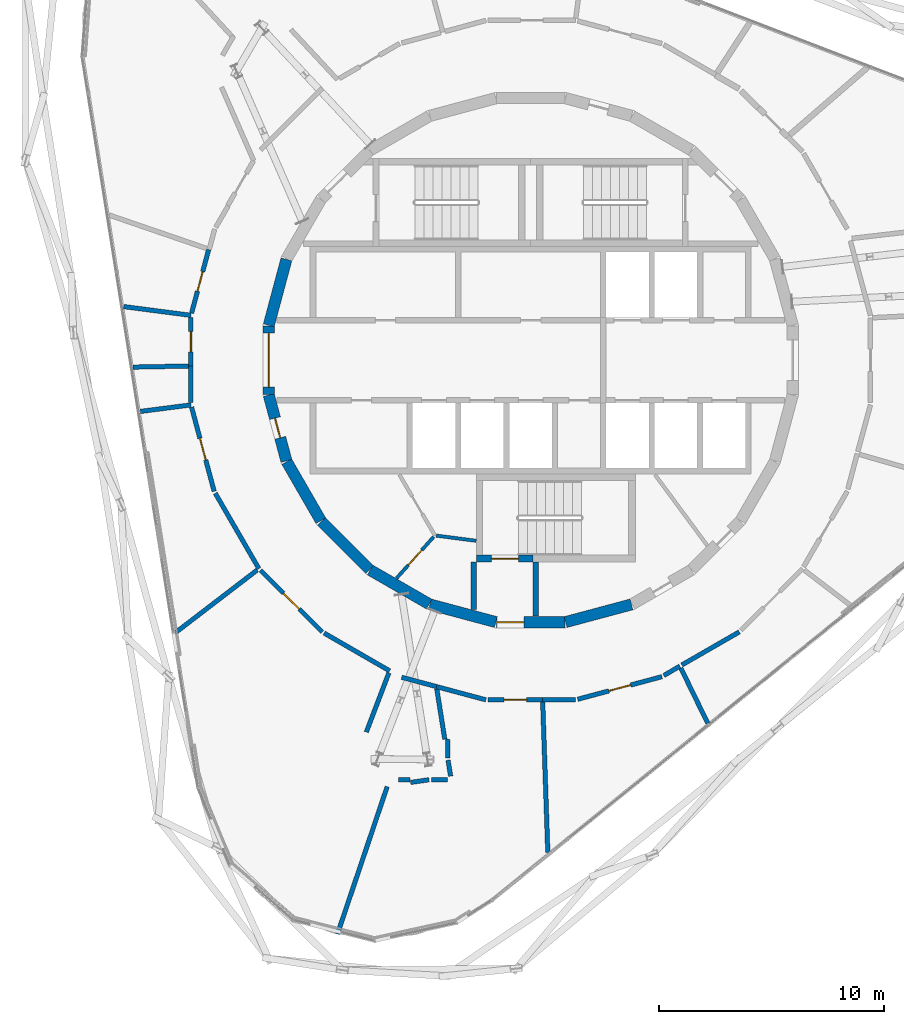
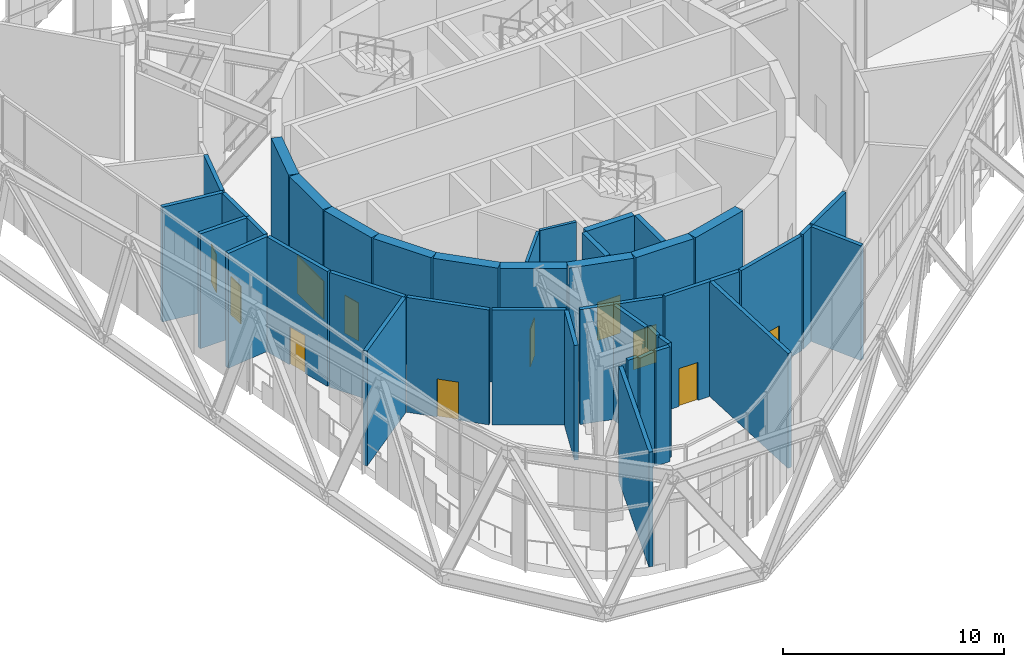
# One storey, part 19 of 25: 42 walls, 11 doors, 11 openings.
"""IFC4 building model written with IfcOpenShell, lengths in metres."""

from ifc_helpers import new_model, si_unit, direction, frame, frame_2d, origin, place, context, subcontext, project, spatial, rectangle, extrude, material, layer, layer_set, type_object, element, fill, save


model = new_model("IFC4")

# Units and contexts
model_context = context("Model", 3, precision=1e-05, world=origin(), true_north=direction((0.0, 1.0)))
body_context = subcontext(model_context, "Body", "Model", "MODEL_VIEW")
ifc_project = project(units=[si_unit("LENGTHUNIT", "METRE"), si_unit("AREAUNIT", "SQUARE_METRE"), si_unit("VOLUMEUNIT", "CUBIC_METRE"), si_unit("PLANEANGLEUNIT", "RADIAN"), si_unit("MASSUNIT", "GRAM", prefix="KILO")], contexts=[model_context])

# Site, building, storey
site_placement = place(None, origin())
site = spatial("IfcSite", under=ifc_project, at=site_placement, CompositionType="ELEMENT")
building_placement = place(site_placement, origin())
building = spatial("IfcBuilding", under=site, at=building_placement, Name="Spindle Arch Residences", CompositionType="ELEMENT")
storey_placement = place(building_placement, frame((0.0, 0.0, 291.39990234375)))
storey = spatial("IfcBuildingStorey", under=building, at=storey_placement, Name="L75", CompositionType="ELEMENT", Elevation=291.39990234375)

# Walls
ifc_material_1 = material(Name="Concrete C50/60", Category="concrete")
ifc_layer_1 = layer(ifc_material_1, 0.5)
ifc_layer_set_1 = layer_set([ifc_layer_1], Name="Core outline wall 500")
wall_type_1 = type_object("IfcWallType", Name="Core outline wall 500", PredefinedType="SHEAR", material=ifc_layer_set_1)
for number, where, z_axis, x_axis, name in (
    (1, (1.5498046875, -11.642822265625, 0.0), (0.0, 0.0, 1.0), (0.965948410781, 0.258734743916, 0.0), "Core outline wall 1"),
    (2, (-10.858154296875, 4.479248046875, 0.0), (0.0, 0.0, 1.0), (-0.258734743916, -0.965948410781, 0.0), "Core outline wall 17"),
):
    element("IfcWall", number, at=place(storey_placement, frame(where, z_axis=z_axis, x_axis=x_axis)), inside=storey, type_object=wall_type_1, Name=name, PredefinedType="SHEAR", context=body_context, shape_type="SweptSolid", body=[
        extrude(rectangle(XDim=3.03271484375, YDim=0.5, at=frame_2d((1.516357421875, 0.0))), origin(), (0.0, 0.0, 1.0), 6.35009765625),
    ])

# Wall, opening, door
wall_1_placement = place(storey_placement, frame((-11.647216796875, 1.516357421875, 0.0), z_axis=(0.0, 0.0, 1.0), x_axis=(0.0, -1.0, 0.0)))
wall_1 = element("IfcWall", 3, at=wall_1_placement, inside=storey, type_object=wall_type_1, Name="Core outline wall 18", PredefinedType="SHEAR", context=body_context, shape_type="SweptSolid", body=[
    extrude(rectangle(XDim=3.03271484375, YDim=0.5, at=frame_2d((1.516357421875, 0.0))), origin(), (0.0, 0.0, 1.0), 6.35009765625),
])
opening_1_placement = place(wall_1_placement, frame((0.31640625, 0.0, 0.0)))
opening_1 = element("IfcOpeningElement", 4, at=opening_1_placement, cuts=wall_1, Name="Opening L75-LE01", PredefinedType="OPENING", context=body_context, shape_type="SweptSolid", body=[
    extrude(rectangle(XDim=2.39990234375, YDim=2.10009765625, at=frame_2d((1.199951171875, 1.050048828125))), frame((0.0, 0.260009765625, 0.0), z_axis=(0.0, -1.0, 0.0), x_axis=(1.0, 0.0, 0.0)), (0.0, 0.0, 1.0), 0.52001953125),
])
ifc_material_2 = material(Name="Steel, fire-resisting door", Category="steel")
door_type_1 = type_object("IfcDoorType", Name="Lift lobby entrance door 2400x2100", OperationType="DOUBLE_DOOR_SINGLE_SWING", PredefinedType="DOOR", material=ifc_material_2)
door_1_placement = place(opening_1_placement, origin())
door_1 = element("IfcDoor", 5, at=door_1_placement, inside=storey, type_object=door_type_1, Name="Lift lobby entrance door L75-LE01", OperationType="DOUBLE_DOOR_SINGLE_SWING", OverallHeight=2.10009765625, OverallWidth=2.39990234375, PredefinedType="DOOR", context=body_context, shape_type="SweptSolid", body=[
    extrude(rectangle(XDim=2.39990234375, YDim=2.10009765625, at=frame_2d((1.199951171875, 1.050048828125))), frame((0.0, 0.02490234375, 0.0), z_axis=(0.0, -1.0, 0.0), x_axis=(1.0, 0.0, 0.0)), (0.0, 0.0, 1.0), 0.050048828125),
])
fill(opening_1, door_1)

wall_2_placement = place(storey_placement, frame((-11.642822265625, -1.5498046875, 0.0), z_axis=(0.0, 0.0, 1.0), x_axis=(0.258734743916, -0.965948410781, 0.0)))
wall_2 = element("IfcWall", 6, at=wall_2_placement, inside=storey, type_object=wall_type_1, Name="Core outline wall 19", PredefinedType="SHEAR", context=body_context, shape_type="SweptSolid", body=[
    extrude(rectangle(XDim=3.03271484375, YDim=0.5, at=frame_2d((1.516357421875, 0.0))), origin(), (0.0, 0.0, 1.0), 6.35009765625),
])
opening_2_placement = place(wall_2_placement, frame((1.06640625, 0.0, 0.0)))
opening_2 = element("IfcOpeningElement", 7, at=opening_2_placement, cuts=wall_2, Name="Opening L75-WD10", PredefinedType="OPENING", context=body_context, shape_type="SweptSolid", body=[
    extrude(rectangle(XDim=0.89990234375, YDim=2.10009765625, at=frame_2d((0.449951171875, 1.050048828125))), frame((0.0, 0.260009765625, 0.0), z_axis=(0.0, -1.0, 0.0), x_axis=(1.0, 0.0, 0.0)), (0.0, 0.0, 1.0), 0.52001953125),
])
ifc_material_3 = material(Name="Steel, fire-resisting door", Category="steel")
door_type_2 = type_object("IfcDoorType", Name="Service room door 900x2100", OperationType="SINGLE_SWING_LEFT", PredefinedType="DOOR", material=ifc_material_3)
door_2_placement = place(opening_2_placement, origin())
door_2 = element("IfcDoor", 8, at=door_2_placement, inside=storey, type_object=door_type_2, Name="Service room door L75-WD10", OperationType="SINGLE_SWING_RIGHT", OverallHeight=2.10009765625, OverallWidth=0.89990234375, PredefinedType="DOOR", context=body_context, shape_type="SweptSolid", body=[
    extrude(rectangle(XDim=0.89990234375, YDim=2.10009765625, at=frame_2d((0.449951171875, 1.050048828125))), frame((0.0, 0.02490234375, 0.0), z_axis=(0.0, -1.0, 0.0), x_axis=(1.0, 0.0, 0.0)), (0.0, 0.0, 1.0), 0.050048828125),
])
fill(opening_2, door_2)

# Walls
wall_3_placement = place(storey_placement, frame((-10.84521484375, -4.510498046875, 0.0), z_axis=(0.0, 0.0, 1.0), x_axis=(0.500087131594, -0.865975092491, 0.0)))
element("IfcWall", 9, at=wall_3_placement, inside=storey, type_object=wall_type_1, Name="Core outline wall 20", PredefinedType="SHEAR", context=body_context, shape_type="SweptSolid", body=[
    extrude(rectangle(XDim=3.03271484375, YDim=0.5, at=frame_2d((1.516357421875, 0.0))), origin(), (0.0, 0.0, 1.0), 6.35009765625),
])
wall_4_placement = place(storey_placement, frame((-9.30810546875, -7.163818359375, 0.0), z_axis=(0.0, 0.0, 1.0), x_axis=(0.707106781187, -0.707106781187, 0.0)))
element("IfcWall", 10, at=wall_4_placement, inside=storey, type_object=wall_type_1, Name="Core outline wall 21", PredefinedType="SHEAR", context=body_context, shape_type="SweptSolid", body=[
    extrude(rectangle(XDim=3.032470703125, YDim=0.5, at=frame_2d((1.51611328125, 0.0))), origin(), (0.0, 0.0, 1.0), 6.35009765625),
])
for number, where, z_axis, x_axis, name in (
    (11, (-7.13671875, -9.32861328125, 0.0), (0.0, 0.0, 1.0), (0.865975092491, -0.500087131594, 0.0), "Core outline wall 22"),
    (12, (-4.479248046875, -10.858154296875, 0.0), (0.0, 0.0, 1.0), (0.965948410781, -0.258734743916, 0.0), "Core outline wall 23"),
):
    element("IfcWall", number, at=place(storey_placement, frame(where, z_axis=z_axis, x_axis=x_axis)), inside=storey, type_object=wall_type_1, Name=name, PredefinedType="SHEAR", context=body_context, shape_type="SweptSolid", body=[
        extrude(rectangle(XDim=3.03271484375, YDim=0.5, at=frame_2d((1.516357421875, 0.0))), origin(), (0.0, 0.0, 1.0), 6.35009765625),
    ])

# Wall, opening, door
wall_5_placement = place(storey_placement, frame((-1.516357421875, -11.647216796875, 0.0), z_axis=(0.0, 0.0, 1.0), x_axis=(1.0, 0.0, 0.0)))
wall_5 = element("IfcWall", 13, at=wall_5_placement, inside=storey, type_object=wall_type_1, Name="Core outline wall 24", PredefinedType="SHEAR", context=body_context, shape_type="SweptSolid", body=[
    extrude(rectangle(XDim=3.03271484375, YDim=0.5, at=frame_2d((1.516357421875, 0.0))), origin(), (0.0, 0.0, 1.0), 6.35009765625),
])
opening_3_placement = place(wall_5_placement, frame((0.016357421875, 0.0, 0.0)))
opening_3 = element("IfcOpeningElement", 14, at=opening_3_placement, cuts=wall_5, Name="Opening L75-AD03", PredefinedType="OPENING", context=body_context, shape_type="SweptSolid", body=[
    extrude(rectangle(XDim=1.199951171875, YDim=2.10009765625, at=frame_2d((0.60009765625, 1.050048828125))), frame((0.0, 0.260009765625, 0.0), z_axis=(0.0, -1.0, 0.0), x_axis=(1.0, 0.0, 0.0)), (0.0, 0.0, 1.0), 0.52001953125),
])
ifc_material_4 = material(Name="Steel, fire-resisting door", Category="steel")
door_type_3 = type_object("IfcDoorType", Name="Stair airlock door 1200x2100", OperationType="SINGLE_SWING_LEFT", PredefinedType="DOOR", material=ifc_material_4)
door_3_placement = place(opening_3_placement, origin())
door_3 = element("IfcDoor", 15, at=door_3_placement, inside=storey, type_object=door_type_3, Name="Stair airlock door L75-AD03", OperationType="SINGLE_SWING_RIGHT", OverallHeight=2.10009765625, OverallWidth=1.199951171875, PredefinedType="DOOR", context=body_context, shape_type="SweptSolid", body=[
    extrude(rectangle(XDim=1.199951171875, YDim=2.10009765625, at=frame_2d((0.60009765625, 1.050048828125))), frame((0.0, 0.02490234375, 0.0), z_axis=(0.0, -1.0, 0.0), x_axis=(1.0, 0.0, 0.0)), (0.0, 0.0, 1.0), 0.050048828125),
])
fill(opening_3, door_3)

# Wall
ifc_material_5 = material(Name="Gypsum board partition on steel studs", Category="steel")
ifc_layer_2 = layer(ifc_material_5, 0.199951171875)
ifc_layer_set_2 = layer_set([ifc_layer_2], Name="Partition EI 60 200 amenity")
wall_type_2 = type_object("IfcWallType", Name="Partition EI 60 200 amenity", PredefinedType="PARTITIONING", material=ifc_layer_set_2)
wall_6_placement = place(storey_placement, frame((-17.35009765625, -2.280029296875, 0.0), z_axis=(0.0, 0.0, 1.0), x_axis=(0.991793720609, 0.127848409297, 0.0)))
element("IfcWall", 16, at=wall_6_placement, inside=storey, type_object=wall_type_2, Name="L75-W002", PredefinedType="PARTITIONING", context=body_context, shape_type="SweptSolid", body=[
    extrude(rectangle(XDim=2.2685546875, YDim=0.199951171875, at=frame_2d((1.13427734375, 0.0))), origin(), (0.0, 0.0, 1.0), 6.35009765625),
])

# Wall, opening, door
wall_7_placement = place(storey_placement, frame((-15.073974609375, -2.086669921875, 0.0), z_axis=(0.0, 0.0, 1.0), x_axis=(0.259026804199, -0.965870133458, 0.0)))
wall_7 = element("IfcWall", 17, at=wall_7_placement, inside=storey, type_object=wall_type_2, Name="L75-W003", PredefinedType="PARTITIONING", context=body_context, shape_type="SweptSolid", body=[
    extrude(rectangle(XDim=3.875732421875, YDim=0.199951171875, at=frame_2d((1.93798828125, 0.0))), origin(), (0.0, 0.0, 1.0), 6.35009765625),
])
opening_4_placement = place(wall_7_placement, frame((1.43798828125, 0.0, 0.0)))
opening_4 = element("IfcOpeningElement", 18, at=opening_4_placement, cuts=wall_7, Name="Opening L75-D06", PredefinedType="OPENING", context=body_context, shape_type="SweptSolid", body=[
    extrude(rectangle(XDim=1.0, YDim=2.10009765625, at=frame_2d((0.5, 1.050048828125))), frame((0.0, 0.10986328125, 0.0), z_axis=(0.0, -1.0, 0.0), x_axis=(1.0, 0.0, 0.0)), (0.0, 0.0, 1.0), 0.219970703125),
])
ifc_material_6 = material(Name="Timber door leaf", Category="wood")
door_type_4 = type_object("IfcDoorType", Name="Door 1000x2100 EI 30", OperationType="SINGLE_SWING_LEFT", PredefinedType="DOOR", material=ifc_material_6)
door_4_placement = place(opening_4_placement, origin())
door_4 = element("IfcDoor", 19, at=door_4_placement, inside=storey, type_object=door_type_4, Name="L75-D06", OperationType="SINGLE_SWING_LEFT", OverallHeight=2.10009765625, OverallWidth=1.0, PredefinedType="DOOR", context=body_context, shape_type="SweptSolid", body=[
    extrude(rectangle(XDim=1.0, YDim=2.10009765625, at=frame_2d((0.5, 1.050048828125))), frame((0.0, 0.02490234375, 0.0), z_axis=(0.0, -1.0, 0.0), x_axis=(1.0, 0.0, 0.0)), (0.0, 0.0, 1.0), 0.050048828125),
])
fill(opening_4, door_4)

# Walls
wall_8_placement = place(storey_placement, frame((-15.199951171875, -0.261962890625, 0.0), z_axis=(0.0, 0.0, 1.0), x_axis=(-0.999810471085, -0.019468485006, 0.0)))
element("IfcWall", 20, at=wall_8_placement, inside=storey, type_object=wall_type_2, Name="L75-W004", PredefinedType="PARTITIONING", context=body_context, shape_type="SweptSolid", body=[
    extrude(rectangle(XDim=2.470458984375, YDim=0.199951171875, at=frame_2d((1.2353515625, 0.0))), origin(), (0.0, 0.0, 1.0), 6.35009765625),
])
wall_9_placement = place(storey_placement, frame((-15.10009765625, -0.260009765625, 0.0), z_axis=(0.0, 0.0, 1.0), x_axis=(0.0, -1.0, 0.0)))
element("IfcWall", 21, at=wall_9_placement, inside=storey, type_object=wall_type_2, Name="L75-W005", PredefinedType="PARTITIONING", context=body_context, shape_type="SweptSolid", body=[
    extrude(rectangle(XDim=1.6298828125, YDim=0.199951171875, at=frame_2d((0.81494140625, 0.0))), origin(), (0.0, 0.0, 1.0), 6.35009765625),
])
wall_10_placement = place(storey_placement, frame((-15.10009765625, 1.989990234375, 0.0), z_axis=(0.0, 0.0, 1.0), x_axis=(-0.99160492548, 0.129304569772, 0.0)))
element("IfcWall", 22, at=wall_10_placement, inside=storey, type_object=wall_type_2, Name="L75-W006", PredefinedType="PARTITIONING", context=body_context, shape_type="SweptSolid", body=[
    extrude(rectangle(XDim=3.015380859375, YDim=0.199951171875, at=frame_2d((1.5078125, 0.0))), origin(), (0.0, 0.0, 1.0), 6.35009765625),
])

# Wall, opening, door
wall_11_placement = place(storey_placement, frame((-15.10009765625, 1.889892578125, 0.0), z_axis=(0.0, 0.0, 1.0), x_axis=(0.0, -1.0, 0.0)))
wall_11 = element("IfcWall", 23, at=wall_11_placement, inside=storey, type_object=wall_type_2, Name="L75-W007", PredefinedType="PARTITIONING", context=body_context, shape_type="SweptSolid", body=[
    extrude(rectangle(XDim=2.14990234375, YDim=0.199951171875, at=frame_2d((1.074951171875, 0.0))), origin(), (0.0, 0.0, 1.0), 6.35009765625),
])
opening_5_placement = place(wall_11_placement, frame((0.625, 0.0, 0.0)))
opening_5 = element("IfcOpeningElement", 24, at=opening_5_placement, cuts=wall_11, Name="Opening L75-D08", PredefinedType="OPENING", context=body_context, shape_type="SweptSolid", body=[
    extrude(rectangle(XDim=0.89990234375, YDim=2.10009765625, at=frame_2d((0.449951171875, 1.050048828125))), frame((0.0, 0.10986328125, 0.0), z_axis=(0.0, -1.0, 0.0), x_axis=(1.0, 0.0, 0.0)), (0.0, 0.0, 1.0), 0.219970703125),
])
ifc_material_7 = material(Name="Timber door leaf", Category="wood")
door_type_5 = type_object("IfcDoorType", Name="Door 900x2100 EI 30", OperationType="SINGLE_SWING_LEFT", PredefinedType="DOOR", material=ifc_material_7)
door_5_placement = place(opening_5_placement, origin())
door_5 = element("IfcDoor", 25, at=door_5_placement, inside=storey, type_object=door_type_5, Name="L75-D08", OperationType="SINGLE_SWING_LEFT", OverallHeight=2.10009765625, OverallWidth=0.89990234375, PredefinedType="DOOR", context=body_context, shape_type="SweptSolid", body=[
    extrude(rectangle(XDim=0.89990234375, YDim=2.10009765625, at=frame_2d((0.449951171875, 1.050048828125))), frame((0.0, 0.02490234375, 0.0), z_axis=(0.0, -1.0, 0.0), x_axis=(1.0, 0.0, 0.0)), (0.0, 0.0, 1.0), 0.050048828125),
])
fill(opening_5, door_5)

wall_12_placement = place(storey_placement, frame((-14.3154296875, 4.909912109375, 0.0), z_axis=(0.0, 0.0, 1.0), x_axis=(-0.25947627481, -0.965749482428, 0.0)))
wall_12 = element("IfcWall", 26, at=wall_12_placement, inside=storey, type_object=wall_type_2, Name="L75-W008", PredefinedType="PARTITIONING", context=body_context, shape_type="SweptSolid", body=[
    extrude(rectangle(XDim=2.92333984375, YDim=0.199951171875, at=frame_2d((1.461669921875, 0.0))), origin(), (0.0, 0.0, 1.0), 6.35009765625),
])
opening_6_placement = place(wall_12_placement, frame((1.01171875, 0.0, 0.0)))
opening_6 = element("IfcOpeningElement", 27, at=opening_6_placement, cuts=wall_12, Name="Opening L75-D09", PredefinedType="OPENING", context=body_context, shape_type="SweptSolid", body=[
    extrude(rectangle(XDim=0.89990234375, YDim=2.10009765625, at=frame_2d((0.449951171875, 1.050048828125))), frame((0.0, 0.10986328125, 0.0), z_axis=(0.0, -1.0, 0.0), x_axis=(1.0, 0.0, 0.0)), (0.0, 0.0, 1.0), 0.219970703125),
])
door_6_placement = place(opening_6_placement, origin())
door_6 = element("IfcDoor", 28, at=door_6_placement, inside=storey, type_object=door_type_5, Name="L75-D09", OperationType="SINGLE_SWING_LEFT", OverallHeight=2.10009765625, OverallWidth=0.89990234375, PredefinedType="DOOR", context=body_context, shape_type="SweptSolid", body=[
    extrude(rectangle(XDim=0.89990234375, YDim=2.10009765625, at=frame_2d((0.449951171875, 1.050048828125))), frame((0.0, 0.02490234375, 0.0), z_axis=(0.0, -1.0, 0.0), x_axis=(1.0, 0.0, 0.0)), (0.0, 0.0, 1.0), 0.050048828125),
])
fill(opening_6, door_6)

# Walls
wall_13_placement = place(storey_placement, frame((-14.02001953125, -5.91650390625, 0.0), z_axis=(0.0, 0.0, 1.0), x_axis=(0.500733182901, -0.865601686425, 0.0)))
element("IfcWall", 29, at=wall_13_placement, inside=storey, type_object=wall_type_2, Name="L75-W009", PredefinedType="PARTITIONING", context=body_context, shape_type="SweptSolid", body=[
    extrude(rectangle(XDim=3.874267578125, YDim=0.199951171875, at=frame_2d((1.93701171875, 0.0))), origin(), (0.0, 0.0, 1.0), 6.35009765625),
])
wall_14_placement = place(storey_placement, frame((-12.159423828125, -9.330810546875, 0.0), z_axis=(0.0, 0.0, 1.0), x_axis=(-0.793799954034, -0.608178948152, 0.0)))
element("IfcWall", 30, at=wall_14_placement, inside=storey, type_object=wall_type_2, Name="L75-W016", PredefinedType="PARTITIONING", context=body_context, shape_type="SweptSolid", body=[
    extrude(rectangle(XDim=4.58642578125, YDim=0.199951171875, at=frame_2d((2.293212890625, 0.0))), origin(), (0.0, 0.0, 1.0), 6.35009765625),
])

# Wall, opening, door
wall_15_placement = place(storey_placement, frame((-12.00927734375, -9.3408203125, 0.0), z_axis=(0.0, 0.0, 1.0), x_axis=(0.707106781187, -0.707106781187, 0.0)))
wall_15 = element("IfcWall", 31, at=wall_15_placement, inside=storey, type_object=wall_type_2, Name="L75-W017", PredefinedType="PARTITIONING", context=body_context, shape_type="SweptSolid", body=[
    extrude(rectangle(XDim=3.873779296875, YDim=0.199951171875, at=frame_2d((1.93701171875, 0.0))), origin(), (0.0, 0.0, 1.0), 6.35009765625),
])
opening_7_placement = place(wall_15_placement, frame((1.43701171875, 0.0, 0.0)))
opening_7 = element("IfcOpeningElement", 32, at=opening_7_placement, cuts=wall_15, Name="Opening L75-D02", PredefinedType="OPENING", context=body_context, shape_type="SweptSolid", body=[
    extrude(rectangle(XDim=1.0, YDim=2.10009765625, at=frame_2d((0.5, 1.050048828125))), frame((0.0, 0.10986328125, 0.0), z_axis=(0.0, -1.0, 0.0), x_axis=(1.0, 0.0, 0.0)), (0.0, 0.0, 1.0), 0.219970703125),
])
door_7_placement = place(opening_7_placement, origin())
door_7 = element("IfcDoor", 33, at=door_7_placement, inside=storey, type_object=door_type_4, Name="L75-D02", OperationType="SINGLE_SWING_LEFT", OverallHeight=2.10009765625, OverallWidth=1.0, PredefinedType="DOOR", context=body_context, shape_type="SweptSolid", body=[
    extrude(rectangle(XDim=1.0, YDim=2.10009765625, at=frame_2d((0.5, 1.050048828125))), frame((0.0, 0.02490234375, 0.0), z_axis=(0.0, -1.0, 0.0), x_axis=(1.0, 0.0, 0.0)), (0.0, 0.0, 1.0), 0.050048828125),
])
fill(opening_7, door_7)

# Walls
wall_16_placement = place(storey_placement, frame((-9.183349609375, -12.1298828125, 0.0), z_axis=(0.0, 0.0, 1.0), x_axis=(0.866261714877, -0.499590473626, 0.0)))
element("IfcWall", 34, at=wall_16_placement, inside=storey, type_object=wall_type_2, Name="L75-W019", PredefinedType="PARTITIONING", context=body_context, shape_type="SweptSolid", body=[
    extrude(rectangle(XDim=3.363037109375, YDim=0.199951171875, at=frame_2d((1.681640625, 0.0))), origin(), (0.0, 0.0, 1.0), 6.35009765625),
])
wall_17_placement = place(storey_placement, frame((-6.379638671875, -18.9580078125, 0.0), z_axis=(0.0, 0.0, 1.0), x_axis=(-0.319668100728, -0.947529580212, 0.0)))
element("IfcWall", 35, at=wall_17_placement, inside=storey, type_object=wall_type_2, Name="L75-W021", PredefinedType="PARTITIONING", context=body_context, shape_type="SweptSolid", body=[
    extrude(rectangle(XDim=6.914794921875, YDim=0.199951171875, at=frame_2d((3.45751953125, 0.0))), origin(), (0.0, 0.0, 1.0), 6.35009765625),
])
wall_18_placement = place(storey_placement, frame((-6.3056640625, -13.903564453125, 0.0), z_axis=(0.0, 0.0, 1.0), x_axis=(-0.355847310917, -0.934544108811, 0.0)))
element("IfcWall", 36, at=wall_18_placement, inside=storey, type_object=wall_type_2, Name="L75-W022", PredefinedType="PARTITIONING", context=body_context, shape_type="SweptSolid", body=[
    extrude(rectangle(XDim=2.812255859375, YDim=0.199951171875, at=frame_2d((1.40625, 0.0))), origin(), (0.0, 0.0, 1.0), 6.35009765625),
])
wall_19_placement = place(storey_placement, frame((-5.87744140625, -18.639892578125, 0.0), z_axis=(0.0, 0.0, 1.0), x_axis=(1.0, 0.0, 0.0)))
element("IfcWall", 37, at=wall_19_placement, inside=storey, type_object=wall_type_2, Name="L75-W023", PredefinedType="PARTITIONING", context=body_context, shape_type="SweptSolid", body=[
    extrude(rectangle(XDim=0.517333984375, YDim=0.199951171875, at=frame_2d((0.2587890625, 0.0))), origin(), (0.0, 0.0, 1.0), 6.35009765625),
])
wall_20_placement = place(storey_placement, frame((-5.7333984375, -14.095947265625, 0.0), z_axis=(0.0, 0.0, 1.0), x_axis=(0.965848432571, -0.259107709845, 0.0)))
element("IfcWall", 38, at=wall_20_placement, inside=storey, type_object=wall_type_2, Name="L75-W024", PredefinedType="PARTITIONING", context=body_context, shape_type="SweptSolid", body=[
    extrude(rectangle(XDim=1.59814453125, YDim=0.199951171875, at=frame_2d((0.799072265625, 0.0))), origin(), (0.0, 0.0, 1.0), 6.35009765625),
])
wall_21_placement = place(storey_placement, frame((-5.340087890625, -18.77001953125, 0.0), z_axis=(0.0, 0.0, 1.0), x_axis=(0.9894425278, 0.144925788532, 0.0)))
element("IfcWall", 39, at=wall_21_placement, inside=storey, type_object=wall_type_2, Name="L75-W027", PredefinedType="PARTITIONING", context=body_context, shape_type="SweptSolid", body=[
    extrude(rectangle(XDim=0.828857421875, YDim=0.199951171875, at=frame_2d((0.41455078125, 0.0))), origin(), (0.0, 0.0, 1.0), 6.35009765625),
])
wall_22_placement = place(storey_placement, frame((-4.419921875, -18.64990234375, 0.0), z_axis=(0.0, 0.0, 1.0), x_axis=(1.0, 0.0, 0.0)))
element("IfcWall", 40, at=wall_22_placement, inside=storey, type_object=wall_type_2, Name="L75-W028", PredefinedType="PARTITIONING", context=body_context, shape_type="SweptSolid", body=[
    extrude(rectangle(XDim=0.72998046875, YDim=0.199951171875, at=frame_2d((0.364990234375, 0.0))), origin(), (0.0, 0.0, 1.0), 6.35009765625),
])
wall_23_placement = place(storey_placement, frame((-4.18994140625, -14.510009765625, 0.0), z_axis=(0.0, 0.0, 1.0), x_axis=(0.965858538716, -0.259070035299, 0.0)))
element("IfcWall", 41, at=wall_23_placement, inside=storey, type_object=wall_type_2, Name="L75-W029", PredefinedType="PARTITIONING", context=body_context, shape_type="SweptSolid", body=[
    extrude(rectangle(XDim=2.27783203125, YDim=0.199951171875, at=frame_2d((1.138916015625, 0.0))), origin(), (0.0, 0.0, 1.0), 6.35009765625),
])
wall_24_placement = place(storey_placement, frame((-3.820068359375, -16.85009765625, 0.0), z_axis=(0.0, 0.0, 1.0), x_axis=(-0.156122803255, 0.98773765257, 0.0)))
element("IfcWall", 42, at=wall_24_placement, inside=storey, type_object=wall_type_2, Name="L75-W031", PredefinedType="PARTITIONING", context=body_context, shape_type="SweptSolid", body=[
    extrude(rectangle(XDim=2.26904296875, YDim=0.199951171875, at=frame_2d((1.134521484375, 0.0))), origin(), (0.0, 0.0, 1.0), 6.35009765625),
])
wall_25_placement = place(storey_placement, frame((-3.68994140625, -17.679931640625, 0.0), z_axis=(0.0, 0.0, 1.0), x_axis=(0.012061493839, 0.999927257537, 0.0)))
element("IfcWall", 43, at=wall_25_placement, inside=storey, type_object=wall_type_2, Name="L75-W032", PredefinedType="PARTITIONING", context=body_context, shape_type="SweptSolid", body=[
    extrude(rectangle(XDim=0.829833984375, YDim=0.199951171875, at=frame_2d((0.4150390625, 0.0))), origin(), (0.0, 0.0, 1.0), 6.35009765625),
])
wall_26_placement = place(storey_placement, frame((-3.56005859375, -18.489990234375, 0.0), z_axis=(0.0, 0.0, 1.0), x_axis=(-0.158294553347, 0.987391935546, 0.0)))
element("IfcWall", 44, at=wall_26_placement, inside=storey, type_object=wall_type_2, Name="L75-W033", PredefinedType="PARTITIONING", context=body_context, shape_type="SweptSolid", body=[
    extrude(rectangle(XDim=0.72021484375, YDim=0.199951171875, at=frame_2d((0.360107421875, 0.0))), origin(), (0.0, 0.0, 1.0), 6.35009765625),
])

# Wall, opening, door
wall_27_placement = place(storey_placement, frame((-1.889892578125, -15.10009765625, 0.0), z_axis=(0.0, 0.0, 1.0), x_axis=(1.0, 0.0, 0.0)))
wall_27 = element("IfcWall", 45, at=wall_27_placement, inside=storey, type_object=wall_type_2, Name="L75-W034", PredefinedType="PARTITIONING", context=body_context, shape_type="SweptSolid", body=[
    extrude(rectangle(XDim=2.419921875, YDim=0.199951171875, at=frame_2d((1.2099609375, 0.0))), origin(), (0.0, 0.0, 1.0), 6.35009765625),
])
opening_8_placement = place(wall_27_placement, frame((0.7099609375, 0.0, 0.0)))
opening_8 = element("IfcOpeningElement", 46, at=opening_8_placement, cuts=wall_27, Name="Opening L75-D01", PredefinedType="OPENING", context=body_context, shape_type="SweptSolid", body=[
    extrude(rectangle(XDim=1.0, YDim=2.10009765625, at=frame_2d((0.5, 1.050048828125))), frame((0.0, 0.10986328125, 0.0), z_axis=(0.0, -1.0, 0.0), x_axis=(1.0, 0.0, 0.0)), (0.0, 0.0, 1.0), 0.219970703125),
])
door_8_placement = place(opening_8_placement, origin())
door_8 = element("IfcDoor", 47, at=door_8_placement, inside=storey, type_object=door_type_4, Name="L75-D01", OperationType="SINGLE_SWING_LEFT", OverallHeight=2.10009765625, OverallWidth=1.0, PredefinedType="DOOR", context=body_context, shape_type="SweptSolid", body=[
    extrude(rectangle(XDim=1.0, YDim=2.10009765625, at=frame_2d((0.5, 1.050048828125))), frame((0.0, 0.02490234375, 0.0), z_axis=(0.0, -1.0, 0.0), x_axis=(1.0, 0.0, 0.0)), (0.0, 0.0, 1.0), 0.050048828125),
])
fill(opening_8, door_8)

# Walls
wall_28_placement = place(storey_placement, frame((0.533447265625, -15.199951171875, 0.0), z_axis=(0.0, 0.0, 1.0), x_axis=(0.033846737046, -0.999427035051, 0.0)))
element("IfcWall", 48, at=wall_28_placement, inside=storey, type_object=wall_type_2, Name="L75-W036", PredefinedType="PARTITIONING", context=body_context, shape_type="SweptSolid", body=[
    extrude(rectangle(XDim=6.69384765625, YDim=0.199951171875, at=frame_2d((3.346923828125, 0.0))), origin(), (0.0, 0.0, 1.0), 6.35009765625),
])
wall_29_placement = place(storey_placement, frame((0.530029296875, -15.10009765625, 0.0), z_axis=(0.0, 0.0, 1.0), x_axis=(1.0, 0.0, 0.0)))
element("IfcWall", 49, at=wall_29_placement, inside=storey, type_object=wall_type_2, Name="L75-W037", PredefinedType="PARTITIONING", context=body_context, shape_type="SweptSolid", body=[
    extrude(rectangle(XDim=1.4599609375, YDim=0.199951171875, at=frame_2d((0.72998046875, 0.0))), origin(), (0.0, 0.0, 1.0), 6.35009765625),
])

# Wall, opening, door
wall_30_placement = place(storey_placement, frame((2.086669921875, -15.073974609375, 0.0), z_axis=(0.0, 0.0, 1.0), x_axis=(0.965870133458, 0.259026804199, 0.0)))
wall_30 = element("IfcWall", 50, at=wall_30_placement, inside=storey, type_object=wall_type_2, Name="L75-W038", PredefinedType="PARTITIONING", context=body_context, shape_type="SweptSolid", body=[
    extrude(rectangle(XDim=3.875732421875, YDim=0.199951171875, at=frame_2d((1.93798828125, 0.0))), origin(), (0.0, 0.0, 1.0), 6.35009765625),
])
opening_9_placement = place(wall_30_placement, frame((1.43798828125, 0.0, 0.0)))
opening_9 = element("IfcOpeningElement", 51, at=opening_9_placement, cuts=wall_30, Name="Opening L75-D03", PredefinedType="OPENING", context=body_context, shape_type="SweptSolid", body=[
    extrude(rectangle(XDim=1.0, YDim=2.10009765625, at=frame_2d((0.5, 1.050048828125))), frame((0.0, 0.10986328125, 0.0), z_axis=(0.0, -1.0, 0.0), x_axis=(1.0, 0.0, 0.0)), (0.0, 0.0, 1.0), 0.219970703125),
])
door_9_placement = place(opening_9_placement, origin())
door_9 = element("IfcDoor", 52, at=door_9_placement, inside=storey, type_object=door_type_4, Name="L75-D03", OperationType="SINGLE_SWING_LEFT", OverallHeight=2.10009765625, OverallWidth=1.0, PredefinedType="DOOR", context=body_context, shape_type="SweptSolid", body=[
    extrude(rectangle(XDim=1.0, YDim=2.10009765625, at=frame_2d((0.5, 1.050048828125))), frame((0.0, 0.02490234375, 0.0), z_axis=(0.0, -1.0, 0.0), x_axis=(1.0, 0.0, 0.0)), (0.0, 0.0, 1.0), 0.050048828125),
])
fill(opening_9, door_9)

# Walls
wall_31_placement = place(storey_placement, frame((5.916259765625, -14.019287109375, 0.0), z_axis=(0.0, 0.0, 1.0), x_axis=(0.862244964115, 0.506491482513, 0.0)))
element("IfcWall", 53, at=wall_31_placement, inside=storey, type_object=wall_type_2, Name="L75-W041", PredefinedType="PARTITIONING", context=body_context, shape_type="SweptSolid", body=[
    extrude(rectangle(XDim=0.82763671875, YDim=0.199951171875, at=frame_2d((0.413818359375, 0.0))), origin(), (0.0, 0.0, 1.0), 6.35009765625),
])
wall_32_placement = place(storey_placement, frame((6.673828125, -13.68994140625, 0.0), z_axis=(0.0, 0.0, 1.0), x_axis=(0.438776447323, -0.898596254875, 0.0)))
element("IfcWall", 54, at=wall_32_placement, inside=storey, type_object=wall_type_2, Name="L75-W043", PredefinedType="PARTITIONING", context=body_context, shape_type="SweptSolid", body=[
    extrude(rectangle(XDim=2.726318359375, YDim=0.199951171875, at=frame_2d((1.36328125, 0.0))), origin(), (0.0, 0.0, 1.0), 6.35009765625),
])
wall_33_placement = place(storey_placement, frame((6.716552734375, -13.550048828125, 0.0), z_axis=(0.0, 0.0, 1.0), x_axis=(0.86665285702, 0.498911640894, 0.0)))
element("IfcWall", 55, at=wall_33_placement, inside=storey, type_object=wall_type_2, Name="L75-W044", PredefinedType="PARTITIONING", context=body_context, shape_type="SweptSolid", body=[
    extrude(rectangle(XDim=2.9462890625, YDim=0.199951171875, at=frame_2d((1.47314453125, 0.0))), origin(), (0.0, 0.0, 1.0), 6.35009765625),
])

# Wall, opening, door
ifc_material_8 = material(Name="Concrete C25/30", Category="concrete")
ifc_layer_3 = layer(ifc_material_8, 0.14990234375)
ifc_layer_set_3 = layer_set([ifc_layer_3], Name="Service room partition 150")
wall_type_3 = type_object("IfcWallType", Name="Service room partition 150", PredefinedType="PARTITIONING", material=ifc_layer_set_3)
wall_34_placement = place(storey_placement, frame((-4.310791015625, -7.85107421875, 0.0), z_axis=(0.0, 0.0, 1.0), x_axis=(-0.667869133096, -0.744278725383, 0.0)))
wall_34 = element("IfcWall", 56, at=wall_34_placement, inside=storey, type_object=wall_type_3, Name="Core service room partition", PredefinedType="PARTITIONING", context=body_context, shape_type="SweptSolid", body=[
    extrude(rectangle(XDim=2.476318359375, YDim=0.14990234375, at=frame_2d((1.23828125, 0.0))), origin(), (0.0, 0.0, 1.0), 6.35009765625),
])
opening_10_placement = place(wall_34_placement, frame((0.7880859375, 0.0, 0.0)))
opening_10 = element("IfcOpeningElement", 57, at=opening_10_placement, cuts=wall_34, Name="Opening L75-WD06", PredefinedType="OPENING", context=body_context, shape_type="SweptSolid", body=[
    extrude(rectangle(XDim=0.89990234375, YDim=2.10009765625, at=frame_2d((0.449951171875, 1.050048828125))), frame((0.0, 0.0849609375, 0.0), z_axis=(0.0, -1.0, 0.0), x_axis=(1.0, 0.0, 0.0)), (0.0, 0.0, 1.0), 0.169921875),
])
door_10_placement = place(opening_10_placement, origin())
door_10 = element("IfcDoor", 58, at=door_10_placement, inside=storey, type_object=door_type_2, Name="Service room door L75-WD06", OperationType="SINGLE_SWING_RIGHT", OverallHeight=2.10009765625, OverallWidth=0.89990234375, PredefinedType="DOOR", context=body_context, shape_type="SweptSolid", body=[
    extrude(rectangle(XDim=0.89990234375, YDim=2.10009765625, at=frame_2d((0.449951171875, 1.050048828125))), frame((0.0, 0.02490234375, 0.0), z_axis=(0.0, -1.0, 0.0), x_axis=(1.0, 0.0, 0.0)), (0.0, 0.0, 1.0), 0.050048828125),
])
fill(opening_10, door_10)

# Walls
wall_35_placement = place(storey_placement, frame((-4.197998046875, -7.79931640625, 0.0), z_axis=(0.0, 0.0, 1.0), x_axis=(0.991686747293, -0.128675542523, 0.0)))
element("IfcWall", 59, at=wall_35_placement, inside=storey, type_object=wall_type_3, Name="Core service room partition", PredefinedType="PARTITIONING", context=body_context, shape_type="SweptSolid", body=[
    extrude(rectangle(XDim=1.79296875, YDim=0.14990234375, at=frame_2d((0.896484375, 0.0))), origin(), (0.0, 0.0, 1.0), 6.35009765625),
])
ifc_material_9 = material(Name="Concrete C40/50", Category="concrete")
ifc_layer_4 = layer(ifc_material_9, 0.25)
ifc_layer_set_4 = layer_set([ifc_layer_4], Name="Stair airlock wall 250")
wall_type_4 = type_object("IfcWallType", Name="Stair airlock wall 250", PredefinedType="SHEAR", material=ifc_layer_set_4)
wall_36_placement = place(storey_placement, frame((-2.52490234375, -8.969970703125, 0.0), z_axis=(0.0, 0.0, 1.0), x_axis=(0.0, -1.0, 0.0)))
element("IfcWall", 60, at=wall_36_placement, inside=storey, type_object=wall_type_4, Name="Stair ST-3 airlock wall W", PredefinedType="SHEAR", context=body_context, shape_type="SweptSolid", body=[
    extrude(rectangle(XDim=2.110107421875, YDim=0.25, at=frame_2d((1.05517578125, 0.0))), origin(), (0.0, 0.0, 1.0), 6.35009765625),
])
wall_37_placement = place(storey_placement, frame((0.22509765625, -8.969970703125, 0.0), z_axis=(0.0, 0.0, 1.0), x_axis=(0.0, -1.0, 0.0)))
element("IfcWall", 61, at=wall_37_placement, inside=storey, type_object=wall_type_4, Name="Stair ST-3 airlock wall E", PredefinedType="SHEAR", context=body_context, shape_type="SweptSolid", body=[
    extrude(rectangle(XDim=2.409912109375, YDim=0.25, at=frame_2d((1.205078125, 0.0))), origin(), (0.0, 0.0, 1.0), 6.35009765625),
])

# Wall, opening, door
ifc_material_10 = material(Name="Concrete C50/60", Category="concrete")
ifc_layer_5 = layer(ifc_material_10, 0.300048828125)
ifc_layer_set_5 = layer_set([ifc_layer_5], Name="Stair enclosure wall 300")
wall_type_5 = type_object("IfcWallType", Name="Stair enclosure wall 300", PredefinedType="SHEAR", material=ifc_layer_set_5)
wall_38_placement = place(storey_placement, frame((-2.39990234375, -8.820068359375, 0.0), z_axis=(0.0, 0.0, 1.0), x_axis=(1.0, 0.0, 0.0)))
wall_38 = element("IfcWall", 62, at=wall_38_placement, inside=storey, type_object=wall_type_5, Name="Stair ST-3 door wall", PredefinedType="SHEAR", context=body_context, shape_type="SweptSolid", body=[
    extrude(rectangle(XDim=2.5, YDim=0.300048828125, at=frame_2d((1.25, 0.0))), origin(), (0.0, 0.0, 1.0), 6.35009765625),
])
opening_11_placement = place(wall_38_placement, frame((0.64990234375, 0.0, 0.0)))
opening_11 = element("IfcOpeningElement", 63, at=opening_11_placement, cuts=wall_38, Name="Opening L75-SD03", PredefinedType="OPENING", context=body_context, shape_type="SweptSolid", body=[
    extrude(rectangle(XDim=1.199951171875, YDim=2.10009765625, at=frame_2d((0.60009765625, 1.050048828125))), frame((0.0, 0.16015625, 0.0), z_axis=(0.0, -1.0, 0.0), x_axis=(1.0, 0.0, 0.0)), (0.0, 0.0, 1.0), 0.320068359375),
])
ifc_material_11 = material(Name="Steel, fire-resisting door", Category="steel")
door_type_6 = type_object("IfcDoorType", Name="Stair door 1200x2100", OperationType="SINGLE_SWING_RIGHT", PredefinedType="DOOR", material=ifc_material_11)
door_11_placement = place(opening_11_placement, origin())
door_11 = element("IfcDoor", 64, at=door_11_placement, inside=storey, type_object=door_type_6, Name="Stair door L75-SD03", OperationType="SINGLE_SWING_LEFT", OverallHeight=2.10009765625, OverallWidth=1.199951171875, PredefinedType="DOOR", context=body_context, shape_type="SweptSolid", body=[
    extrude(rectangle(XDim=1.199951171875, YDim=2.10009765625, at=frame_2d((0.60009765625, 1.050048828125))), frame((0.0, 0.02490234375, 0.0), z_axis=(0.0, -1.0, 0.0), x_axis=(1.0, 0.0, 0.0)), (0.0, 0.0, 1.0), 0.050048828125),
])
fill(opening_11, door_11)

save(model, "model.ifc")
